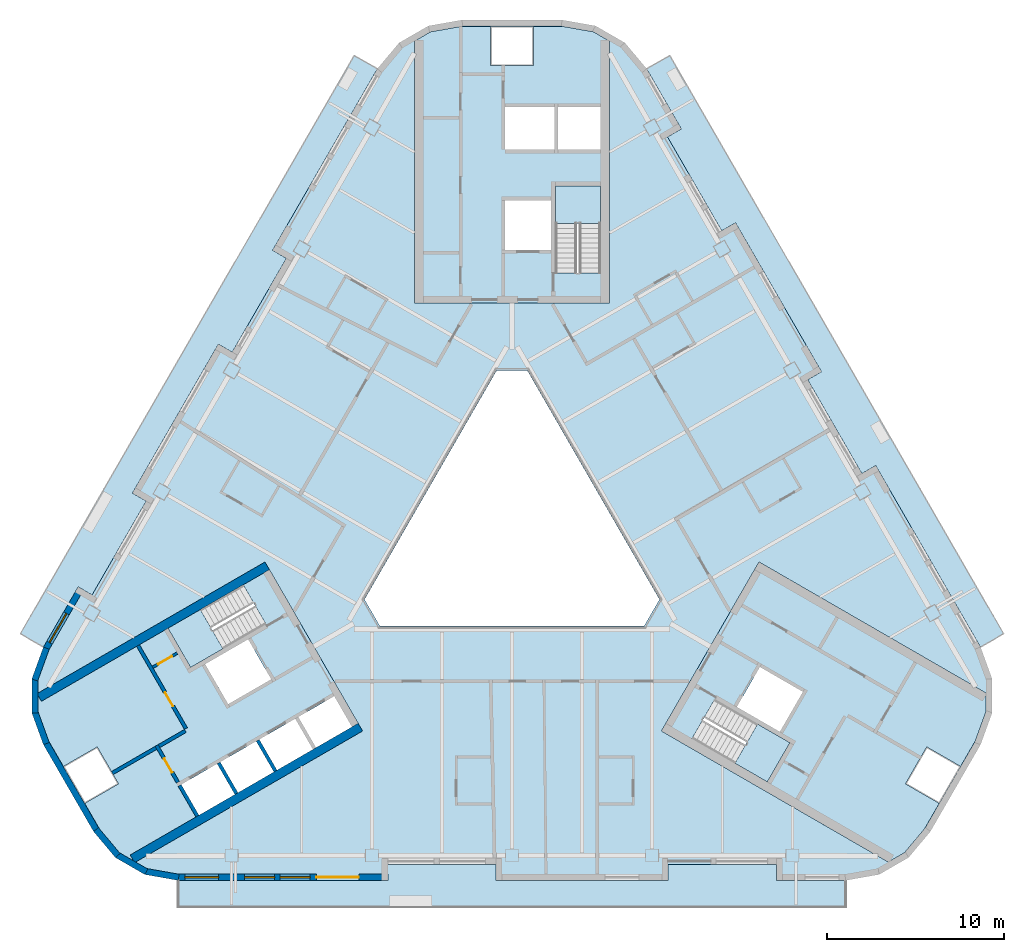
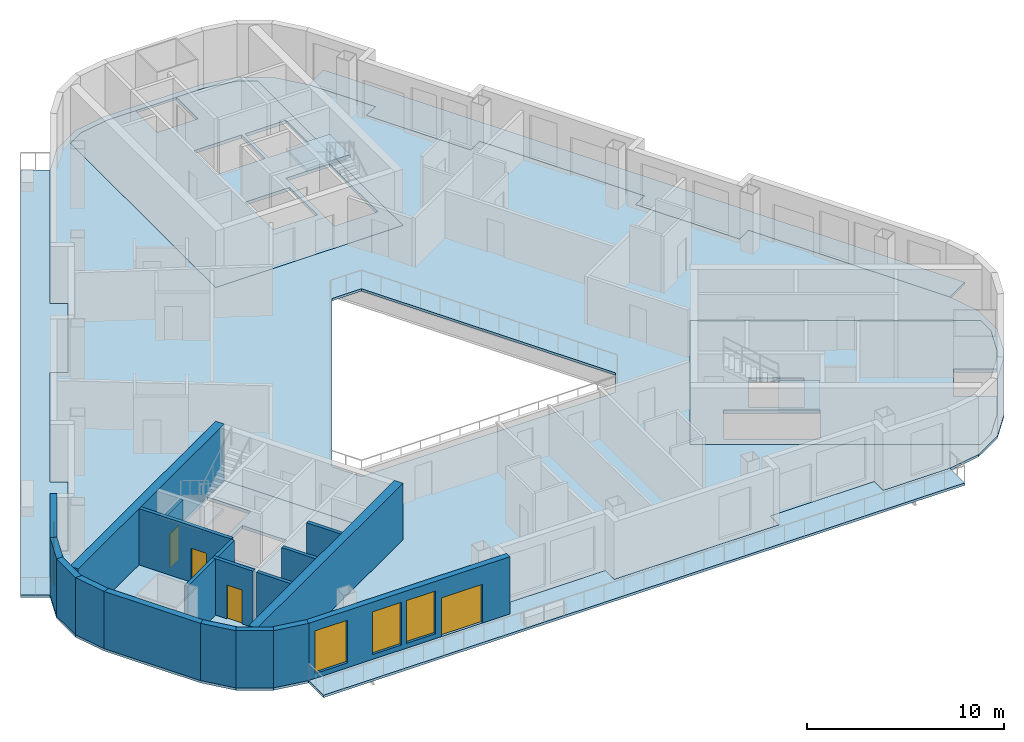
# One storey, part 2 of 13: 19 walls, 10 slabs, 4 doors, 4 windows, 8 openings, 3 elements without a shape of their own.
"""IFC4 building model written with IfcOpenShell, lengths in metres."""

from ifc_helpers import new_model, si_unit, direction, frame, frame_2d, origin, place, context, subcontext, project, spatial, polyline, rectangle, outline, extrude, material, layer, layer_set, type_object, element, fill, aggregate, save


model = new_model("IFC4")

# Units and contexts
model_context = context("Model", 3, precision=1e-05, world=origin(), true_north=direction((0.0, 1.0)))
body_context = subcontext(model_context, "Body", "Model", "MODEL_VIEW")
ifc_project = project(units=[si_unit("LENGTHUNIT", "METRE"), si_unit("AREAUNIT", "SQUARE_METRE"), si_unit("VOLUMEUNIT", "CUBIC_METRE"), si_unit("PLANEANGLEUNIT", "RADIAN"), si_unit("MASSUNIT", "GRAM", prefix="KILO")], contexts=[model_context])

# Site, building, storey
site_placement = place(None, origin())
site = spatial("IfcSite", under=ifc_project, at=site_placement, CompositionType="ELEMENT")
building_placement = place(site_placement, origin())
building = spatial("IfcBuilding", under=site, at=building_placement, Name="Apuvela Tower Hotel", CompositionType="ELEMENT")
storey_placement = place(building_placement, frame((0.0, 0.0, 198.39990234375)))
storey = spatial("IfcBuildingStorey", under=building, at=storey_placement, Name="L48", CompositionType="ELEMENT", Elevation=198.39990234375)

# Slabs
ifc_material_1 = material(Name="Concrete C50/60", Category="concrete")
ifc_layer_1 = layer(ifc_material_1, 0.199951171875)
ifc_layer_set_1 = layer_set([ifc_layer_1], Name="COR-FLOOR-200")
slab_type_1 = type_object("IfcSlabType", Name="COR-FLOOR-200", PredefinedType="FLOOR", material=ifc_layer_set_1)
slab_1_placement = place(storey_placement, frame((0.0, 0.0, -0.199951171875)))
element("IfcSlab", 1, at=slab_1_placement, inside=storey, type_object=slab_type_1, Name="Core floor N", PredefinedType="FLOOR", context=body_context, shape_type="SweptSolid", body=[
    extrude(outline(polyline([(5.5, 27.668212890625), (4.588623046875, 28.1943359375), (2.85498046875, 28.5), (1.199951171875, 28.5), (1.199951171875, 26.300048828125), (-1.199951171875, 26.300048828125), (-1.199951171875, 28.5), (-2.85498046875, 28.5), (-4.588623046875, 28.1943359375), (-5.5, 27.668212890625), (-5.5, 12.89990234375), (5.5, 12.89990234375), (5.5, 27.668212890625)]), holes=[polyline([(5.0, 14.60595703125), (2.449951171875, 14.60595703125), (2.449951171875, 19.5), (5.0, 19.5), (5.0, 14.60595703125)]), polyline([(2.199951171875, 15.89990234375), (-0.39990234375, 15.89990234375), (-0.39990234375, 18.699951171875), (2.199951171875, 18.699951171875), (2.199951171875, 15.89990234375)]), polyline([(5.0, 21.550048828125), (2.60009765625, 21.550048828125), (2.60009765625, 23.949951171875), (5.0, 23.949951171875), (5.0, 21.550048828125)]), polyline([(2.39990234375, 21.550048828125), (-0.39990234375, 21.550048828125), (-0.39990234375, 23.949951171875), (2.39990234375, 23.949951171875), (2.39990234375, 21.550048828125)])]), origin(), (0.0, 0.0, 1.0), 0.199951171875),
])
slab_2_placement = place(storey_placement, frame((0.0, 0.0, -0.199951171875)))
element("IfcSlab", 2, at=slab_2_placement, inside=storey, type_object=slab_type_1, Name="Core floor SW", PredefinedType="FLOOR", context=body_context, shape_type="SweptSolid", body=[
    extrude(outline(polyline([(-26.711181640625, -9.07080078125), (-26.711181640625, -10.123291015625), (-26.109375, -11.77734375), (-25.28173828125, -13.210693359375), (-23.37646484375, -12.11083984375), (-22.176513671875, -14.189208984375), (-24.081787109375, -15.289306640625), (-23.254150390625, -16.72265625), (-22.122802734375, -18.071044921875), (-21.211181640625, -18.59716796875), (-8.421630859375, -11.213134765625), (-13.921630859375, -1.68701171875), (-26.711181640625, -9.07080078125)]), holes=[polyline([(-10.01806640625, -9.248046875), (-9.01806640625, -10.97998046875), (-11.044677734375, -12.150146484375), (-12.044677734375, -10.418212890625), (-10.01806640625, -9.248046875)]), polyline([(-14.244384765625, -11.68798828125), (-12.2177734375, -10.51806640625), (-11.2177734375, -12.25), (-13.244384765625, -13.420166015625), (-14.244384765625, -11.68798828125)]), polyline([(-19.387451171875, -5.419921875), (-15.149169921875, -2.972900390625), (-13.874267578125, -5.18115234375), (-18.112548828125, -7.628173828125), (-19.387451171875, -5.419921875)]), polyline([(-14.869873046875, -6.044677734375), (-13.56982421875, -8.29638671875), (-15.99462890625, -9.6962890625), (-17.294677734375, -7.444580078125), (-14.869873046875, -6.044677734375)]), polyline([(-16.444091796875, -12.9580078125), (-14.41748046875, -11.7880859375), (-13.41748046875, -13.52001953125), (-15.444091796875, -14.690185546875), (-16.444091796875, -12.9580078125)]), polyline([(-18.643798828125, -14.22802734375), (-16.6171875, -13.05810546875), (-15.6171875, -14.7900390625), (-17.643798828125, -15.960205078125), (-18.643798828125, -14.22802734375)])]), origin(), (0.0, 0.0, 1.0), 0.199951171875),
])
slab_3_placement = place(storey_placement, frame((0.0, 0.0, -0.199951171875)))
element("IfcSlab", 3, at=slab_3_placement, inside=storey, type_object=slab_type_1, Name="Core floor SE", PredefinedType="FLOOR", context=body_context, shape_type="SweptSolid", body=[
    extrude(outline(polyline([(21.211181640625, -18.59716796875), (22.122802734375, -18.071044921875), (23.254150390625, -16.72265625), (24.081787109375, -15.289306640625), (22.176513671875, -14.189208984375), (23.37646484375, -12.11083984375), (25.28173828125, -13.210693359375), (26.109375, -11.77734375), (26.711181640625, -10.123291015625), (26.711181640625, -9.07080078125), (13.921630859375, -1.68701171875), (8.421630859375, -11.213134765625), (21.211181640625, -18.59716796875)]), holes=[polyline([(11.42431640625, -9.4248046875), (15.66259765625, -11.871826171875), (14.387451171875, -14.080078125), (10.149169921875, -11.633056640625), (11.42431640625, -9.4248046875)]), polyline([(13.9697265625, -7.603515625), (16.394775390625, -9.003662109375), (15.0947265625, -11.25537109375), (12.669921875, -9.855224609375), (13.9697265625, -7.603515625)])]), origin(), (0.0, 0.0, 1.0), 0.199951171875),
])

# Stair, slab
stair_type = type_object("IfcStairType", Name="COR-STAIR-22R", PredefinedType="HALF_TURN_STAIR", material=ifc_material_1)
stair_1_placement = place(storey_placement, origin())
stair_1 = element("IfcStair", 4, at=stair_1_placement, inside=storey, type_object=stair_type, Name="L48 Exit stair ST1", PredefinedType="HALF_TURN_STAIR")
ifc_layer_2 = layer(ifc_material_1, 0.199951171875)
ifc_layer_set_2 = layer_set([ifc_layer_2], Name="COR-LANDING-200")
slab_type_2 = type_object("IfcSlabType", Name="COR-LANDING-200", PredefinedType="LANDING", material=ifc_layer_set_2)
slab_4_placement = place(storey_placement, frame((0.0, 0.0, 1.650146484375)))
slab_4 = element("IfcSlab", 5, at=slab_4_placement, type_object=slab_type_2, Name="ST1 landing 1", PredefinedType="LANDING", context=body_context, shape_type="SweptSolid", body=[
    extrude(outline(polyline([(5.0, 17.39404296875), (5.0, 19.5), (2.449951171875, 19.5), (2.449951171875, 17.39404296875), (5.0, 17.39404296875)])), origin(), (0.0, 0.0, 1.0), 0.199951171875),
])
aggregate(stair_1, [slab_4])

stair_2_placement = place(storey_placement, origin())
stair_2 = element("IfcStair", 6, at=stair_2_placement, inside=storey, type_object=stair_type, Name="L48 Exit stair ST2", PredefinedType="HALF_TURN_STAIR")
slab_5_placement = place(storey_placement, frame((0.0, 0.0, 1.650146484375)))
slab_5 = element("IfcSlab", 7, at=slab_5_placement, type_object=slab_type_2, Name="ST2 landing 1", PredefinedType="LANDING", context=body_context, shape_type="SweptSolid", body=[
    extrude(outline(polyline([(-17.563720703125, -4.366943359375), (-19.387451171875, -5.419921875), (-18.112548828125, -7.628173828125), (-16.28857421875, -6.5751953125), (-17.563720703125, -4.366943359375)])), origin(), (0.0, 0.0, 1.0), 0.199951171875),
])
aggregate(stair_2, [slab_5])

stair_3_placement = place(storey_placement, origin())
stair_3 = element("IfcStair", 8, at=stair_3_placement, inside=storey, type_object=stair_type, Name="L48 Exit stair ST3", PredefinedType="HALF_TURN_STAIR")
slab_6_placement = place(storey_placement, frame((0.0, 0.0, 1.650146484375)))
slab_6 = element("IfcSlab", 9, at=slab_6_placement, type_object=slab_type_2, Name="ST3 landing 1", PredefinedType="LANDING", context=body_context, shape_type="SweptSolid", body=[
    extrude(outline(polyline([(12.563720703125, -13.027099609375), (14.387451171875, -14.080078125), (15.66259765625, -11.871826171875), (13.838623046875, -10.81884765625), (12.563720703125, -13.027099609375)])), origin(), (0.0, 0.0, 1.0), 0.199951171875),
])
aggregate(stair_3, [slab_6])

# Slabs
ifc_material_2 = material(Name="Concrete C40/50, fair-faced", Category="concrete")
ifc_layer_3 = layer(ifc_material_2, 0.14990234375)
ifc_layer_set_3 = layer_set([ifc_layer_3], Name="ENV-BALCONY-150")
slab_type_3 = type_object("IfcSlabType", Name="ENV-BALCONY-150", PredefinedType="FLOOR", material=ifc_layer_set_3)
slab_7_placement = place(storey_placement, frame((0.0, 0.0, -0.14990234375)))
element("IfcSlab", 10, at=slab_7_placement, inside=storey, type_object=slab_type_3, Name="Balcony slab S L48", PredefinedType="FLOOR", context=body_context, shape_type="SweptSolid", body=[
    extrude(outline(polyline([(18.82080078125, -21.135009765625), (-18.82080078125, -21.135009765625), (-18.82080078125, -19.625), (-7.0048828125, -19.625), (-7.0048828125, -18.72509765625), (-0.89501953125, -18.72509765625), (-0.89501953125, -19.625), (8.794921875, -19.625), (8.794921875, -18.72509765625), (14.905029296875, -18.72509765625), (14.905029296875, -19.625), (18.82080078125, -19.625), (18.82080078125, -21.135009765625)])), origin(), (0.0, 0.0, 1.0), 0.14990234375),
])
slab_8_placement = place(storey_placement, frame((0.0, 0.0, -0.14990234375)))
element("IfcSlab", 11, at=slab_8_placement, inside=storey, type_object=slab_type_3, Name="Balcony slab NE L48", PredefinedType="FLOOR", context=body_context, shape_type="SweptSolid", body=[
    extrude(outline(polyline([(17.443359375, 9.037353515625), (12.598388671875, 17.42919921875), (11.81884765625, 16.979248046875), (8.763916015625, 22.2705078125), (9.543212890625, 22.720703125), (7.585205078125, 26.11181640625), (8.89306640625, 26.86669921875), (27.7138671875, -5.731689453125), (26.40625, -6.48681640625), (20.498291015625, 3.74609375), (19.71875, 3.2958984375), (16.663818359375, 8.58740234375), (17.443359375, 9.037353515625)])), origin(), (0.0, 0.0, 1.0), 0.14990234375),
])
slab_9_placement = place(storey_placement, frame((0.0, 0.0, -0.14990234375)))
element("IfcSlab", 12, at=slab_9_placement, inside=storey, type_object=slab_type_3, Name="Balcony slab NW L48", PredefinedType="FLOOR", context=body_context, shape_type="SweptSolid", body=[
    extrude(outline(polyline([(-27.7138671875, -5.731689453125), (-8.89306640625, 26.86669921875), (-7.585205078125, 26.11181640625), (-13.4931640625, 15.87890625), (-12.7138671875, 15.428955078125), (-15.768798828125, 10.1376953125), (-16.548095703125, 10.587646484375), (-21.393310546875, 2.19580078125), (-20.61376953125, 1.745849609375), (-23.668701171875, -3.545654296875), (-24.4482421875, -3.095703125), (-26.40625, -6.48681640625), (-27.7138671875, -5.731689453125)])), origin(), (0.0, 0.0, 1.0), 0.14990234375),
])
ifc_material_3 = material(Name="Concrete C35/45", Category="concrete")
ifc_layer_4 = layer(ifc_material_3, 0.14990234375)
ifc_layer_set_4 = layer_set([ifc_layer_4], Name="STR-SLAB 150 floor Concrete C35/45")
slab_type_4 = type_object("IfcSlabType", Name="STR-SLAB 150 floor Concrete C35/45", PredefinedType="FLOOR", material=ifc_layer_set_4)
slab_10_placement = place(storey_placement, frame((0.0, 0.0, -0.14990234375)))
element("IfcSlab", 13, at=slab_10_placement, inside=storey, type_object=slab_type_4, Name="Floor slab S4 L48", PredefinedType="FLOOR", context=body_context, shape_type="SweptSolid", body=[
    extrude(outline(polyline([(-6.3642578125, 27.5732421875), (-4.710205078125, 28.5283203125), (-2.8291015625, 28.860107421875), (2.8291015625, 28.860107421875), (4.710205078125, 28.5283203125), (6.3642578125, 27.5732421875), (7.59228515625, 26.110107421875), (9.550048828125, 22.71875), (8.770751953125, 22.268798828125), (11.82080078125, 16.986083984375), (12.60009765625, 17.43603515625), (17.4501953125, 9.035400390625), (16.670654296875, 8.58544921875), (19.720703125, 3.302734375), (20.5, 3.752685546875), (26.407958984375, -6.47998046875), (27.061279296875, -8.27490234375), (27.061279296875, -10.18505859375), (26.407958984375, -11.97998046875), (23.5791015625, -16.8798828125), (22.351318359375, -18.34326171875), (20.697021484375, -19.29833984375), (18.81591796875, -19.6298828125), (14.89990234375, -19.6298828125), (14.89990234375, -18.72998046875), (8.800048828125, -18.72998046875), (8.800048828125, -19.6298828125), (-0.89990234375, -19.6298828125), (-0.89990234375, -18.72998046875), (-7.0, -18.72998046875), (-7.0, -19.6298828125), (-18.81591796875, -19.6298828125), (-20.697021484375, -19.29833984375), (-22.351318359375, -18.34326171875), (-23.5791015625, -16.8798828125), (-26.407958984375, -11.97998046875), (-27.061279296875, -10.18505859375), (-27.061279296875, -8.27490234375), (-26.407958984375, -6.47998046875), (-24.4501953125, -3.088623046875), (-23.670654296875, -3.538818359375), (-20.62060546875, 1.743896484375), (-21.400146484375, 2.194091796875), (-16.550048828125, 10.594482421875), (-15.7705078125, 10.14453125), (-12.720703125, 15.42724609375), (-13.5, 15.877197265625), (-7.59228515625, 26.110107421875), (-6.3642578125, 27.5732421875)]), holes=[polyline([(0.865966796875, 9.10009765625), (-0.865966796875, 9.10009765625), (-8.313720703125, -3.800048828125), (-7.44775390625, -5.300048828125), (7.44775390625, -5.300048828125), (8.313720703125, -3.800048828125), (0.865966796875, 9.10009765625)]), polyline([(-5.5, 12.89990234375), (-5.5, 27.668212890625), (-4.588623046875, 28.1943359375), (-2.85498046875, 28.5), (2.85498046875, 28.5), (4.588623046875, 28.1943359375), (5.5, 27.668212890625), (5.5, 12.89990234375), (-5.5, 12.89990234375)]), polyline([(-8.421630859375, -11.213134765625), (-21.211181640625, -18.59716796875), (-22.122802734375, -18.071044921875), (-23.254150390625, -16.72265625), (-26.109375, -11.77734375), (-26.711181640625, -10.123291015625), (-26.711181640625, -9.07080078125), (-13.921630859375, -1.68701171875), (-8.421630859375, -11.213134765625)]), polyline([(13.921630859375, -1.68701171875), (26.711181640625, -9.07080078125), (26.711181640625, -10.123291015625), (26.109375, -11.77734375), (23.254150390625, -16.72265625), (22.122802734375, -18.071044921875), (21.211181640625, -18.59716796875), (8.421630859375, -11.213134765625), (13.921630859375, -1.68701171875)])]), origin(), (0.0, 0.0, 1.0), 0.14990234375),
])

# Walls
ifc_layer_5 = layer(ifc_material_1, 0.5)
ifc_layer_set_5 = layer_set([ifc_layer_5], Name="COR-WALL-CORE-500")
wall_type_1 = type_object("IfcWallType", Name="COR-WALL-CORE-500", PredefinedType="SHEAR", material=ifc_layer_set_5)
for number, where, z_axis, x_axis, name in (
    (14, (-13.796630859375, -1.9033203125, 0.0), (0.0, 0.0, 1.0), (-0.866025009528, -0.500000682871, 0.0), "Core wall SW"),
    (15, (-8.546630859375, -10.99658203125, 0.0), (0.0, 0.0, 1.0), (-0.866025009528, -0.500000682871, 0.0), "Core wall SW"),
):
    element("IfcWall", number, at=place(storey_placement, frame(where, z_axis=z_axis, x_axis=x_axis)), inside=storey, type_object=wall_type_1, Name=name, PredefinedType="SHEAR", context=body_context, shape_type="SweptSolid", body=[
        extrude(rectangle(XDim=14.8369140625, YDim=0.5, at=frame_2d((7.41845703125, 0.0))), origin(), (0.0, 0.0, 1.0), 3.5),
    ])

# Wall, opening, door
ifc_material_4 = material(Name="Blockwork 150 mm plastered", Category="masonry")
ifc_layer_6 = layer(ifc_material_4, 0.14990234375)
ifc_layer_set_6 = layer_set([ifc_layer_6], Name="COR-WALL-PART-150")
wall_type_2 = type_object("IfcWallType", Name="COR-WALL-PART-150", PredefinedType="PARTITIONING", material=ifc_layer_set_6)
wall_1_placement = place(storey_placement, frame((-18.866455078125, -6.822265625, 0.0), z_axis=(0.0, 0.0, 1.0), x_axis=(-0.866028054938, -0.499995408039, 0.0)))
wall_1 = element("IfcWall", 16, at=wall_1_placement, inside=storey, type_object=wall_type_2, Name="Partition SW", PredefinedType="PARTITIONING", context=body_context, shape_type="SweptSolid", body=[
    extrude(rectangle(XDim=1.60009765625, YDim=0.14990234375, at=frame_2d((0.800048828125, 0.0))), origin(), (0.0, 0.0, 1.0), 3.5),
])
opening_1_placement = place(wall_1_placement, frame((0.35009765625, 0.0, 0.0)))
opening_1 = element("IfcOpeningElement", 17, at=opening_1_placement, cuts=wall_1, Name="Opening W-RD", PredefinedType="OPENING", context=body_context, shape_type="SweptSolid", body=[
    extrude(rectangle(XDim=0.89990234375, YDim=2.10009765625, at=frame_2d((0.449951171875, 1.050048828125))), frame((0.0, 0.0849609375, 0.0), z_axis=(0.0, -1.0, 0.0), x_axis=(1.0, 0.0, 0.0)), (0.0, 0.0, 1.0), 0.169921875),
])
ifc_material_5 = material(Name="Steel access door, powder coated", Category="steel")
door_type_1 = type_object("IfcDoorType", Name="COR-RD-900", OperationType="NOTDEFINED", PredefinedType="DOOR", material=ifc_material_5)
door_1_placement = place(opening_1_placement, frame((0.89990234375, 0.0, 0.0), z_axis=(0.0, 0.0, 1.0), x_axis=(-1.0, 0.0, 0.0)))
door_1 = element("IfcDoor", 18, at=door_1_placement, inside=storey, type_object=door_type_1, Name="Riser door W-RD", OperationType="SINGLE_SWING_RIGHT", OverallHeight=2.10009765625, OverallWidth=0.89990234375, PredefinedType="DOOR", context=body_context, shape_type="SweptSolid", body=[
    extrude(rectangle(XDim=0.89990234375, YDim=2.10009765625, at=frame_2d((0.449951171875, 1.050048828125))), frame((0.0, 0.02490234375, 0.0), z_axis=(0.0, -1.0, 0.0), x_axis=(1.0, 0.0, 0.0)), (0.0, 0.0, 1.0), 0.050048828125),
])
fill(opening_1, door_1)

ifc_material_6 = material(Name="Blockwork 200 mm plastered", Category="masonry")
ifc_layer_7 = layer(ifc_material_6, 0.199951171875)
ifc_layer_set_7 = layer_set([ifc_layer_7], Name="COR-WALL-PART-200")
wall_type_3 = type_object("IfcWallType", Name="COR-WALL-PART-200", PredefinedType="PARTITIONING", material=ifc_layer_set_7)
wall_2_placement = place(storey_placement, frame((-21.076171875, -6.39501953125, 0.0), z_axis=(0.0, 0.0, 1.0), x_axis=(0.50001468107, -0.866016927499, 0.0)))
wall_2 = element("IfcWall", 19, at=wall_2_placement, inside=storey, type_object=wall_type_3, Name="Partition SW", PredefinedType="PARTITIONING", context=body_context, shape_type="SweptSolid", body=[
    extrude(rectangle(XDim=5.399658203125, YDim=0.199951171875, at=frame_2d((2.69970703125, 0.0))), origin(), (0.0, 0.0, 1.0), 3.5),
])
opening_2_placement = place(wall_2_placement, frame((3.050048828125, 0.0, 0.0)))
opening_2 = element("IfcOpeningElement", 20, at=opening_2_placement, cuts=wall_2, Name="Opening W-RS1", PredefinedType="OPENING", context=body_context, shape_type="SweptSolid", body=[
    extrude(rectangle(XDim=0.89990234375, YDim=2.10009765625, at=frame_2d((0.449951171875, 1.050048828125))), frame((0.0, 0.10986328125, 0.0), z_axis=(0.0, -1.0, 0.0), x_axis=(1.0, 0.0, 0.0)), (0.0, 0.0, 1.0), 0.219970703125),
])
ifc_material_7 = material(Name="Steel fire door, powder coated", Category="steel")
door_type_2 = type_object("IfcDoorType", Name="COR-DR-900", OperationType="NOTDEFINED", PredefinedType="DOOR", material=ifc_material_7)
door_2_placement = place(opening_2_placement, frame((0.89990234375, 0.0, 0.0), z_axis=(0.0, 0.0, 1.0), x_axis=(-1.0, 0.0, 0.0)))
door_2 = element("IfcDoor", 21, at=door_2_placement, inside=storey, type_object=door_type_2, Name="Store door W-RS1", OperationType="SINGLE_SWING_LEFT", OverallHeight=2.10009765625, OverallWidth=0.89990234375, PredefinedType="DOOR", context=body_context, shape_type="SweptSolid", body=[
    extrude(rectangle(XDim=0.89990234375, YDim=2.10009765625, at=frame_2d((0.449951171875, 1.050048828125))), frame((0.0, 0.02490234375, 0.0), z_axis=(0.0, -1.0, 0.0), x_axis=(1.0, 0.0, 0.0)), (0.0, 0.0, 1.0), 0.050048828125),
])
fill(opening_2, door_2)

ifc_layer_8 = layer(ifc_material_1, 0.199951171875)
ifc_layer_set_8 = layer_set([ifc_layer_8], Name="COR-WALL-SHAFT-200")
wall_type_4 = type_object("IfcWallType", Name="COR-WALL-SHAFT-200", PredefinedType="SHEAR", material=ifc_layer_set_8)
wall_3_placement = place(storey_placement, frame((-20.030517578125, -12.0263671875, 0.0), z_axis=(0.0, 0.0, 1.0), x_axis=(0.500033551112, -0.866006032174, 0.0)))
wall_3 = element("IfcWall", 22, at=wall_3_placement, inside=storey, type_object=wall_type_4, Name="Shaft wall SW", PredefinedType="SHEAR", context=body_context, shape_type="SweptSolid", body=[
    extrude(rectangle(XDim=2.400146484375, YDim=0.199951171875, at=frame_2d((1.2001953125, 0.0))), origin(), (0.0, 0.0, 1.0), 3.5),
])
opening_3_placement = place(wall_3_placement, frame((0.85009765625, 0.0, 0.0)))
opening_3 = element("IfcOpeningElement", 23, at=opening_3_placement, cuts=wall_3, Name="Opening W-REP", PredefinedType="OPENING", context=body_context, shape_type="SweptSolid", body=[
    extrude(rectangle(XDim=0.89990234375, YDim=2.10009765625, at=frame_2d((0.449951171875, 1.050048828125))), frame((0.0, 0.10986328125, 0.0), z_axis=(0.0, -1.0, 0.0), x_axis=(1.0, 0.0, 0.0)), (0.0, 0.0, 1.0), 0.219970703125),
])
door_3_placement = place(opening_3_placement, frame((0.89990234375, 0.0, 0.0), z_axis=(0.0, 0.0, 1.0), x_axis=(-1.0, 0.0, 0.0)))
door_3 = element("IfcDoor", 24, at=door_3_placement, inside=storey, type_object=door_type_2, Name="Store door W-REP", OperationType="SINGLE_SWING_LEFT", OverallHeight=2.10009765625, OverallWidth=0.89990234375, PredefinedType="DOOR", context=body_context, shape_type="SweptSolid", body=[
    extrude(rectangle(XDim=0.89990234375, YDim=2.10009765625, at=frame_2d((0.449951171875, 1.050048828125))), frame((0.0, 0.02490234375, 0.0), z_axis=(0.0, -1.0, 0.0), x_axis=(1.0, 0.0, 0.0)), (0.0, 0.0, 1.0), 0.050048828125),
])
fill(opening_3, door_3)

# Walls
wall_4_placement = place(storey_placement, frame((-18.412841796875, -11.2080078125, 0.0), z_axis=(0.0, 0.0, 1.0), x_axis=(-0.866038183914, -0.499977863513, 0.0)))
element("IfcWall", 25, at=wall_4_placement, inside=storey, type_object=wall_type_4, Name="Shaft wall SW", PredefinedType="SHEAR", context=body_context, shape_type="SweptSolid", body=[
    extrude(rectangle(XDim=1.7099609375, YDim=0.199951171875, at=frame_2d((0.85498046875, 0.0))), origin(), (0.0, 0.0, 1.0), 3.5),
])
for number, where, z_axis, x_axis, name in (
    (26, (-14.330810546875, -11.738037109375, 0.0), (0.0, 0.0, 1.0), (0.499972520799, -0.866041268327, 0.0), "Shaft wall SW"),
    (27, (-16.530517578125, -13.008056640625, 0.0), (0.0, 0.0, 1.0), (0.50002537861, -0.866010750942, 0.0), "Shaft wall SW"),
    (28, (-18.73046875, -14.278076171875, 0.0), (0.0, 0.0, 1.0), (0.50002537861, -0.866010750942, 0.0), "Shaft wall SW"),
):
    element("IfcWall", number, at=place(storey_placement, frame(where, z_axis=z_axis, x_axis=x_axis)), inside=storey, type_object=wall_type_4, Name=name, PredefinedType="SHEAR", context=body_context, shape_type="SweptSolid", body=[
        extrude(rectangle(XDim=2.0, YDim=0.199951171875, at=frame_2d((1.0, 0.0))), origin(), (0.0, 0.0, 1.0), 3.5),
    ])
wall_5_placement = place(storey_placement, frame((-20.06689453125, -12.1630859375, 0.0), z_axis=(0.0, 0.0, 1.0), x_axis=(-0.866055327414, -0.49994816717, 0.0)))
element("IfcWall", 29, at=wall_5_placement, inside=storey, type_object=wall_type_4, Name="Shaft wall SW", PredefinedType="SHEAR", context=body_context, shape_type="SweptSolid", body=[
    extrude(rectangle(XDim=2.840087890625, YDim=0.199951171875, at=frame_2d((1.419921875, 0.0))), origin(), (0.0, 0.0, 1.0), 3.5),
])

# Wall, opening, window
ifc_material_8 = material(Name="Concrete C40/50, dark pigmented precast panel", Category="concrete")
ifc_layer_9 = layer(ifc_material_8, 0.35009765625)
ifc_layer_set_9 = layer_set([ifc_layer_9], Name="ENV-WALL-350")
wall_type_5 = type_object("IfcWallType", Name="ENV-WALL-350", PredefinedType="SOLIDWALL", material=ifc_layer_set_9)
wall_6_placement = place(storey_placement, frame((-24.298583984375, -3.17626953125, 0.0), z_axis=(0.0, 0.0, 1.0), x_axis=(-0.500028278809, -0.866009076391, 0.0)))
wall_6 = element("IfcWall", 30, at=wall_6_placement, inside=storey, type_object=wall_type_5, Name="External wall L48-09", PredefinedType="SOLIDWALL", context=body_context, shape_type="SweptSolid", body=[
    extrude(rectangle(XDim=3.915771484375, YDim=0.35009765625, at=frame_2d((1.9580078125, 0.0))), origin(), (0.0, 0.0, 1.0), 3.550048828125),
])
opening_4_placement = place(wall_6_placement, frame((1.625, 0.0, 0.300048828125)))
opening_4 = element("IfcOpeningElement", 31, at=opening_4_placement, cuts=wall_6, Name="Opening WN19", PredefinedType="OPENING", context=body_context, shape_type="SweptSolid", body=[
    extrude(rectangle(XDim=1.89990234375, YDim=2.64990234375, at=frame_2d((0.949951171875, 1.324951171875))), frame((0.0, 0.18505859375, 0.0), z_axis=(0.0, -1.0, 0.0), x_axis=(1.0, 0.0, 0.0)), (0.0, 0.0, 1.0), 0.3701171875),
])
ifc_material_9 = material(Name="Glass, dark tinted laminated insulated glazing unit", Category="glass")
window_type_1 = type_object("IfcWindowType", Name="ENV-WIN-1900x2650", PartitioningType="SINGLE_PANEL", PredefinedType="WINDOW", material=ifc_material_9)
window_1_placement = place(opening_4_placement, origin())
window_1 = element("IfcWindow", 32, at=window_1_placement, inside=storey, type_object=window_type_1, Name="Window WN19", OverallHeight=2.64990234375, OverallWidth=1.89990234375, PartitioningType="SINGLE_PANEL", PredefinedType="WINDOW", context=body_context, shape_type="SweptSolid", body=[
    extrude(rectangle(XDim=1.89990234375, YDim=2.64990234375, at=frame_2d((0.949951171875, 1.324951171875))), frame((0.0, 0.030029296875, 0.0), z_axis=(0.0, -1.0, 0.0), x_axis=(1.0, 0.0, 0.0)), (0.0, 0.0, 1.0), 0.06005859375),
])
fill(opening_4, window_1)

# Walls
for number, where, z_axis, x_axis, name in (
    (33, (-26.24365234375, -6.539794921875, 0.0), (0.0, 0.0, 1.0), (-0.342030395486, -0.939688889242, 0.0), "External wall L48-10"),
    (34, (-26.88623046875, -8.27490234375, 0.0), (0.0, 0.0, 1.0), (0.0, -1.0, 0.0), "External wall L48-11"),
    (35, (-26.89697265625, -10.125244140625, 0.0), (0.0, 0.0, 1.0), (0.342030395486, -0.939688889242, 0.0), "External wall L48-12"),
):
    element("IfcWall", number, at=place(storey_placement, frame(where, z_axis=z_axis, x_axis=x_axis)), inside=storey, type_object=wall_type_5, Name=name, PredefinedType="SOLIDWALL", context=body_context, shape_type="SweptSolid", body=[
        extrude(rectangle(XDim=1.91015625, YDim=0.35009765625, at=frame_2d((0.955078125, 0.0))), origin(), (0.0, 0.0, 1.0), 3.550048828125),
    ])
wall_7_placement = place(storey_placement, frame((-26.256591796875, -11.892578125, 0.0), z_axis=(0.0, 0.0, 1.0), x_axis=(0.500018773155, -0.866014564827, 0.0)))
element("IfcWall", 36, at=wall_7_placement, inside=storey, type_object=wall_type_5, Name="External wall L48-13", PredefinedType="SOLIDWALL", context=body_context, shape_type="SweptSolid", body=[
    extrude(rectangle(XDim=5.657958984375, YDim=0.35009765625, at=frame_2d((2.8291015625, 0.0))), origin(), (0.0, 0.0, 1.0), 3.550048828125),
])
for number, where, z_axis, x_axis, name in (
    (37, (-23.44482421875, -16.767578125, 0.0), (0.0, 0.0, 1.0), (0.642733291068, -0.76609001857, 0.0), "External wall L48-14"),
    (38, (-22.263671875, -18.191650390625, 0.0), (0.0, 0.0, 1.0), (0.866000389056, -0.500043324278, 0.0), "External wall L48-15"),
):
    element("IfcWall", number, at=place(storey_placement, frame(where, z_axis=z_axis, x_axis=x_axis)), inside=storey, type_object=wall_type_5, Name=name, PredefinedType="SOLIDWALL", context=body_context, shape_type="SweptSolid", body=[
        extrude(rectangle(XDim=1.909912109375, YDim=0.35009765625, at=frame_2d((0.955078125, 0.0))), origin(), (0.0, 0.0, 1.0), 3.550048828125),
    ])
wall_8_placement = place(storey_placement, frame((-20.66650390625, -19.1259765625, 0.0), z_axis=(0.0, 0.0, 1.0), x_axis=(0.984798995425, -0.173697837091, 0.0)))
element("IfcWall", 39, at=wall_8_placement, inside=storey, type_object=wall_type_5, Name="External wall L48-16", PredefinedType="SOLIDWALL", context=body_context, shape_type="SweptSolid", body=[
    extrude(rectangle(XDim=1.91015625, YDim=0.35009765625, at=frame_2d((0.955078125, 0.0))), origin(), (0.0, 0.0, 1.0), 3.550048828125),
])

# Wall, openings, door, windows
wall_9_placement = place(storey_placement, frame((-18.81591796875, -19.455078125, 0.0), z_axis=(0.0, 0.0, 1.0), x_axis=(1.0, 0.0, 0.0)))
wall_9 = element("IfcWall", 40, at=wall_9_placement, inside=storey, type_object=wall_type_5, Name="External wall L48-17", PredefinedType="SOLIDWALL", context=body_context, shape_type="SweptSolid", body=[
    extrude(rectangle(XDim=11.81591796875, YDim=0.35009765625, at=frame_2d((5.907958984375, 0.0))), origin(), (0.0, 0.0, 1.0), 3.550048828125),
])
opening_5_placement = place(wall_9_placement, frame((0.380615234375, 0.0, 0.300048828125)))
opening_5 = element("IfcOpeningElement", 41, at=opening_5_placement, cuts=wall_9, Name="Opening WN19", PredefinedType="OPENING", context=body_context, shape_type="SweptSolid", body=[
    extrude(rectangle(XDim=1.89990234375, YDim=2.64990234375, at=frame_2d((0.949951171875, 1.324951171875))), frame((0.0, 0.18505859375, 0.0), z_axis=(0.0, -1.0, 0.0), x_axis=(1.0, 0.0, 0.0)), (0.0, 0.0, 1.0), 0.3701171875),
])
opening_6_placement = place(wall_9_placement, frame((7.790283203125, 0.0, 0.0)))
opening_6 = element("IfcOpeningElement", 42, at=opening_6_placement, cuts=wall_9, Name="Opening BD24", PredefinedType="OPENING", context=body_context, shape_type="SweptSolid", body=[
    extrude(rectangle(XDim=2.39990234375, YDim=2.39990234375, at=frame_2d((1.199951171875, 1.199951171875))), frame((0.0, 0.18505859375, 0.0), z_axis=(0.0, -1.0, 0.0), x_axis=(1.0, 0.0, 0.0)), (0.0, 0.0, 1.0), 0.3701171875),
])
opening_7_placement = place(wall_9_placement, frame((3.740966796875, 0.0, 0.300048828125)))
opening_7 = element("IfcOpeningElement", 43, at=opening_7_placement, cuts=wall_9, Name="Opening WN17", PredefinedType="OPENING", context=body_context, shape_type="SweptSolid", body=[
    extrude(rectangle(XDim=1.699951171875, YDim=2.64990234375, at=frame_2d((0.85009765625, 1.324951171875))), frame((0.0, 0.18505859375, 0.0), z_axis=(0.0, -1.0, 0.0), x_axis=(1.0, 0.0, 0.0)), (0.0, 0.0, 1.0), 0.3701171875),
])
opening_8_placement = place(wall_9_placement, frame((5.740966796875, 0.0, 0.300048828125)))
opening_8 = element("IfcOpeningElement", 44, at=opening_8_placement, cuts=wall_9, Name="Opening WN17", PredefinedType="OPENING", context=body_context, shape_type="SweptSolid", body=[
    extrude(rectangle(XDim=1.699951171875, YDim=2.64990234375, at=frame_2d((0.85009765625, 1.324951171875))), frame((0.0, 0.18505859375, 0.0), z_axis=(0.0, -1.0, 0.0), x_axis=(1.0, 0.0, 0.0)), (0.0, 0.0, 1.0), 0.3701171875),
])
ifc_material_10 = material(Name="Aluminium 6063-T6, dark bronze anodised frame with dark tinted laminated glass", Category="aluminium")
door_type_3 = type_object("IfcDoorType", Name="ENV-DOOR-BALCONY-2400x2400", OperationType="SLIDING_TO_LEFT", PredefinedType="DOOR", material=ifc_material_10)
door_4_placement = place(opening_6_placement, frame((2.39990234375, 0.0, 0.0), z_axis=(0.0, 0.0, 1.0), x_axis=(-1.0, 0.0, 0.0)))
door_4 = element("IfcDoor", 45, at=door_4_placement, inside=storey, type_object=door_type_3, Name="Balcony door BD24", OperationType="SLIDING_TO_LEFT", OverallHeight=2.39990234375, OverallWidth=2.39990234375, PredefinedType="DOOR", context=body_context, shape_type="SweptSolid", body=[
    extrude(rectangle(XDim=2.39990234375, YDim=2.39990234375, at=frame_2d((1.199951171875, 1.199951171875))), frame((0.0, 0.02490234375, 0.0), z_axis=(0.0, -1.0, 0.0), x_axis=(1.0, 0.0, 0.0)), (0.0, 0.0, 1.0), 0.050048828125),
])
fill(opening_6, door_4)
window_type_2 = type_object("IfcWindowType", Name="ENV-WIN-1700x2650", PartitioningType="SINGLE_PANEL", PredefinedType="WINDOW", material=ifc_material_9)
window_2_placement = place(opening_7_placement, origin())
window_2 = element("IfcWindow", 46, at=window_2_placement, inside=storey, type_object=window_type_2, Name="Window WN17", OverallHeight=2.64990234375, OverallWidth=1.699951171875, PartitioningType="SINGLE_PANEL", PredefinedType="WINDOW", context=body_context, shape_type="SweptSolid", body=[
    extrude(rectangle(XDim=1.699951171875, YDim=2.64990234375, at=frame_2d((0.85009765625, 1.324951171875))), frame((0.0, 0.030029296875, 0.0), z_axis=(0.0, -1.0, 0.0), x_axis=(1.0, 0.0, 0.0)), (0.0, 0.0, 1.0), 0.06005859375),
])
fill(opening_7, window_2)
window_3_placement = place(opening_8_placement, origin())
window_3 = element("IfcWindow", 47, at=window_3_placement, inside=storey, type_object=window_type_2, Name="Window WN17", OverallHeight=2.64990234375, OverallWidth=1.699951171875, PartitioningType="SINGLE_PANEL", PredefinedType="WINDOW", context=body_context, shape_type="SweptSolid", body=[
    extrude(rectangle(XDim=1.699951171875, YDim=2.64990234375, at=frame_2d((0.85009765625, 1.324951171875))), frame((0.0, 0.030029296875, 0.0), z_axis=(0.0, -1.0, 0.0), x_axis=(1.0, 0.0, 0.0)), (0.0, 0.0, 1.0), 0.06005859375),
])
fill(opening_8, window_3)
window_4_placement = place(opening_5_placement, origin())
window_4 = element("IfcWindow", 48, at=window_4_placement, inside=storey, type_object=window_type_1, Name="Window WN19", OverallHeight=2.64990234375, OverallWidth=1.89990234375, PartitioningType="SINGLE_PANEL", PredefinedType="WINDOW", context=body_context, shape_type="SweptSolid", body=[
    extrude(rectangle(XDim=1.89990234375, YDim=2.64990234375, at=frame_2d((0.949951171875, 1.324951171875))), frame((0.0, 0.030029296875, 0.0), z_axis=(0.0, -1.0, 0.0), x_axis=(1.0, 0.0, 0.0)), (0.0, 0.0, 1.0), 0.06005859375),
])
fill(opening_5, window_4)

save(model, "model.ifc")
